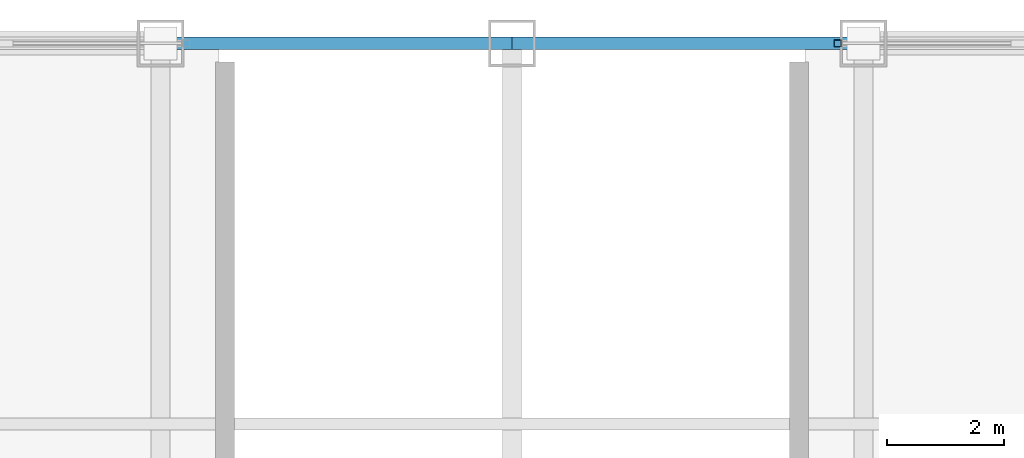
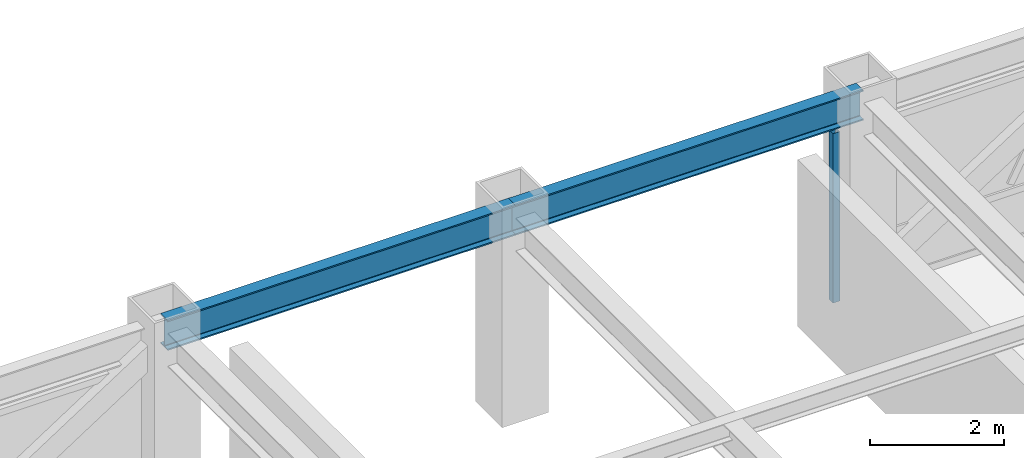
# One storey, part 20 of 29: 2 beams, 1 member, 1 element without a shape of its own.
"""IFC4 building model written with IfcOpenShell, lengths in metres."""

import ifcopenshell
import ifcopenshell.guid

model = None  # the IFC model being written
_history = None  # IfcOwnerHistory: only IFC2X3 demands one
_inside = {}  # id of a spatial element -> (the spatial element, [elements in it])
_under = {}  # id of a project, library or spatial element -> (it, [spatial elements below it])
_declared = {}  # id of a project -> (the project, [libraries it declares])
_typed = {}  # id of a type object -> (the type object, [elements of that type])
_made_of = {}  # id of a material, layer set ... -> (it, [elements and type objects made of it])


def new_model(schema):
    """Start an empty IFC model of exactly this schema.

    Asked for "IFC4X3", IfcOpenShell would pick the latest addendum, in which some entities
    have other attributes; the version numbers below select the first issue.
    IFC2X3 requires an IfcOwnerHistory on every rooted entity: one is made here for all.
    """
    global model, _history
    if schema == "IFC4X3":
        model = ifcopenshell.file(schema_version=(4, 3, 0, 0))
    else:
        model = ifcopenshell.file(schema=schema)
    _inside.clear()
    _under.clear()
    _declared.clear()
    _typed.clear()
    _made_of.clear()
    _history = None
    if model.schema == "IFC2X3":
        org = make("IfcOrganization", Name="unknown")
        user = make(
            "IfcPersonAndOrganization",
            ThePerson=make("IfcPerson", FamilyName="unknown"),
            TheOrganization=org,
        )
        app = make(
            "IfcApplication",
            ApplicationDeveloper=org,
            Version="unknown",
            ApplicationFullName="unknown",
            ApplicationIdentifier="unknown",
        )
        _history = make(
            "IfcOwnerHistory",
            OwningUser=user,
            OwningApplication=app,
            ChangeAction="ADDED",
            CreationDate=0,
        )
    return model


def make(cls, **values):
    """One entity of the class cls with the attributes given. An attribute that is None is left unset."""
    return model.create_entity(
        cls, **{name: value for name, value in values.items() if value is not None}
    )


def rooted(cls, **values):
    """An entity with a GlobalId (a new one), such as an element, a storey or a relation."""
    return make(cls, GlobalId=ifcopenshell.guid.new(), OwnerHistory=_history, **values)


def si_unit(unit_type, name, prefix=None):
    """IfcSIUnit, for example si_unit("LENGTHUNIT", "METRE", prefix="MILLI")."""
    return make("IfcSIUnit", UnitType=unit_type, Prefix=prefix, Name=name)


def assignment(units):
    """IfcUnitAssignment: the units of a project."""
    return None if units is None else make("IfcUnitAssignment", Units=units)


def point(xyz):
    """IfcCartesianPoint."""
    return None if xyz is None else make("IfcCartesianPoint", Coordinates=xyz)


def direction(xyz):
    """IfcDirection."""
    return None if xyz is None else make("IfcDirection", DirectionRatios=xyz)


def frame(location, z_axis=None, x_axis=None):
    """IfcAxis2Placement3D, a coordinate frame: its origin and axes. An axis left out is left unset."""
    return make(
        "IfcAxis2Placement3D",
        Location=point(location),
        Axis=direction(z_axis),
        RefDirection=direction(x_axis),
    )


def frame_2d(location, x_axis=None):
    """IfcAxis2Placement2D, a coordinate frame in the plane: its origin and x axis."""
    return make(
        "IfcAxis2Placement2D", Location=point(location), RefDirection=direction(x_axis)
    )


def origin():
    """The frame at (0, 0, 0) with its axes left unset."""
    return frame((0.0, 0.0, 0.0))


def origin_2d():
    """The frame at (0, 0) in the plane with its x axis left unset."""
    return frame_2d((0.0, 0.0))


def place(relative_to, where):
    """IfcLocalPlacement: puts the frame where relative to a parent placement (None: the world)."""
    return make(
        "IfcLocalPlacement", PlacementRelTo=relative_to, RelativePlacement=where
    )


def context(
    kind, dimensions, precision=None, world=None, true_north=None, identifier=None
):
    """IfcGeometricRepresentationContext, for example the 3D "Model" context."""
    return make(
        "IfcGeometricRepresentationContext",
        ContextIdentifier=identifier,
        ContextType=kind,
        CoordinateSpaceDimension=dimensions,
        Precision=precision,
        WorldCoordinateSystem=world,
        TrueNorth=true_north,
    )


def subcontext(parent, identifier, kind, view, scale=None):
    """IfcGeometricRepresentationSubContext, for example "Body" below "Model"."""
    return make(
        "IfcGeometricRepresentationSubContext",
        ContextIdentifier=identifier,
        ContextType=kind,
        ParentContext=parent,
        TargetScale=scale,
        TargetView=view,
    )


def project(units=None, contexts=None):
    """IfcProject with its units and contexts."""
    return rooted(
        "IfcProject",
        Name="project",
        RepresentationContexts=contexts,
        UnitsInContext=assignment(units),
    )


def spatial(cls, under=None, at=None, **own):
    """A site, building, storey or space (cls), placed at a placement, below another one or the project."""
    s = rooted(cls, ObjectPlacement=at, **own)
    if under is not None:
        _under.setdefault(under.id(), (under, []))[1].append(s)
    return s


def profile(cls, at=None, kind="AREA", **sizes):
    """A parametric profile (cls). Its sizes go by their IFC names, for example OverallWidth=200.0."""
    return make(cls, ProfileType=kind, Position=at, **sizes)


def hollow_rectangle(**sizes):
    """IfcRectangleHollowProfileDef."""
    return profile("IfcRectangleHollowProfileDef", **sizes)


def i_section(**sizes):
    """IfcIShapeProfileDef."""
    return profile("IfcIShapeProfileDef", **sizes)


def extrude(swept, where, along, depth):
    """IfcExtrudedAreaSolid: the profile swept, set in the frame where, extruded along a direction by depth."""
    return make(
        "IfcExtrudedAreaSolid",
        SweptArea=swept,
        Position=where,
        ExtrudedDirection=direction(along),
        Depth=depth,
    )


def shape(context_of_items, identifier, shape_type, items):
    """IfcShapeRepresentation: the items that make up one representation, for example the "Body"."""
    return make(
        "IfcShapeRepresentation",
        ContextOfItems=context_of_items,
        RepresentationIdentifier=identifier,
        RepresentationType=shape_type,
        Items=items,
    )


def source(mapping_origin, context_of_items, identifier, shape_type, items):
    """IfcRepresentationMap: a shape defined once, which mapped items show again and again."""
    return make(
        "IfcRepresentationMap",
        MappingOrigin=mapping_origin,
        MappedRepresentation=shape(context_of_items, identifier, shape_type, items),
    )


def transform(
    local_origin,
    x_axis=None,
    y_axis=None,
    z_axis=None,
    scale=None,
    scale2=None,
    scale3=None,
    uniform=True,
):
    """IfcCartesianTransformationOperator3D, or its non-uniform kind. x_axis, y_axis, z_axis: its Axis1, 2, 3."""
    if uniform:
        return make(
            "IfcCartesianTransformationOperator3D",
            Axis1=direction(x_axis),
            Axis2=direction(y_axis),
            LocalOrigin=point(local_origin),
            Scale=scale,
            Axis3=direction(z_axis),
        )
    return make(
        "IfcCartesianTransformationOperator3DnonUniform",
        Axis1=direction(x_axis),
        Axis2=direction(y_axis),
        LocalOrigin=point(local_origin),
        Scale=scale,
        Axis3=direction(z_axis),
        Scale2=scale2,
        Scale3=scale3,
    )


def mapped(mapping_source, mapping_target):
    """IfcMappedItem: shows the shape of a source again, moved by a transform."""
    return make(
        "IfcMappedItem", MappingSource=mapping_source, MappingTarget=mapping_target
    )


def material(Name=None, Category=None):
    """IfcMaterial."""
    return make("IfcMaterial", Name=Name, Category=Category)


def material_profile(
    of_material, cross_section, Name=None, Category=None, Priority=None
):
    """IfcMaterialProfile: a cross section and its material."""
    return make(
        "IfcMaterialProfile",
        Name=Name,
        Material=of_material,
        Profile=cross_section,
        Priority=Priority,
        Category=Category,
    )


def profile_set(profiles, Name=None, composite=None):
    """IfcMaterialProfileSet."""
    return make(
        "IfcMaterialProfileSet",
        Name=Name,
        MaterialProfiles=profiles,
        CompositeProfile=composite,
    )


def made_of(thing, what):
    """Note that an element or type object is made of a material, layer set ...; save() writes the relation."""
    if what is not None:
        _made_of.setdefault(what.id(), (what, []))[1].append(thing)
    return thing


def type_object(cls, material=None, **own):
    """A type object (cls), such as IfcWallType, which elements share."""
    return made_of(rooted(cls, **own), material)


def element(
    cls,
    number,
    at=None,
    inside=None,
    cuts=None,
    type_object=None,
    material=None,
    context=None,
    identifier="Body",
    shape_type=None,
    held_by="IfcProductDefinitionShape",
    body=None,
    shapes=None,
    **own,
):
    """One element of the class cls, such as IfcWall. Its Tag is "e" and its number.

    at: its placement. inside: the storey or other place that contains it. cuts: it is an
    opening in that element (IfcRelVoidsElement). A single representation is given by context,
    identifier, shape_type and body (its items); several are given by shapes. held_by: the class
    of the entity that holds the representations. save() writes the other relations.
    """
    e = rooted(cls, Tag="e%d" % number, ObjectPlacement=at, **own)
    if body is not None:
        shapes = [shape(context, identifier, shape_type, body)]
    if shapes is not None:
        e.Representation = make(held_by, Representations=shapes)
    if inside is not None:
        _inside.setdefault(inside.id(), (inside, []))[1].append(e)
    if cuts is not None:
        rooted(
            "IfcRelVoidsElement", RelatingBuildingElement=cuts, RelatedOpeningElement=e
        )
    if type_object is not None:
        _typed.setdefault(type_object.id(), (type_object, []))[1].append(e)
    return made_of(e, material)


def aggregate(whole, parts):
    """IfcRelAggregates: a whole, such as a stair, and the parts it consists of."""
    return rooted("IfcRelAggregates", RelatingObject=whole, RelatedObjects=parts)


def save(model, path):
    """Write the relations noted so far, then the file.

    IfcRelAggregates (storeys below a building ...), IfcRelContainedInSpatialStructure (elements
    in a storey), IfcRelDefinesByType, IfcRelAssociatesMaterial and IfcRelDeclares: one each for
    every whole, place, type object, material and project.
    """
    for whole, parts in _under.values():
        aggregate(whole, parts)
    for where, things in _inside.values():
        rooted(
            "IfcRelContainedInSpatialStructure",
            RelatedElements=things,
            RelatingStructure=where,
        )
    for kind, things in _typed.values():
        rooted("IfcRelDefinesByType", RelatedObjects=things, RelatingType=kind)
    for what, things in _made_of.values():
        rooted("IfcRelAssociatesMaterial", RelatedObjects=things, RelatingMaterial=what)
    for by, libraries in _declared.values():
        rooted("IfcRelDeclares", RelatingContext=by, RelatedDefinitions=libraries)
    model.write(path)


model = new_model("IFC4")

# Units and contexts
model_context = context("Model", 3, precision=1e-05, world=origin(), true_north=direction((0.0, 1.0)))
body_context = subcontext(model_context, "Body", "Model", "MODEL_VIEW")
ifc_project = project(units=[si_unit("LENGTHUNIT", "METRE"), si_unit("AREAUNIT", "SQUARE_METRE"), si_unit("VOLUMEUNIT", "CUBIC_METRE"), si_unit("PLANEANGLEUNIT", "RADIAN"), si_unit("MASSUNIT", "GRAM", prefix="KILO")], contexts=[model_context])

# Site, building, storey
site_placement = place(None, origin())
site = spatial("IfcSite", under=ifc_project, at=site_placement, CompositionType="ELEMENT")
building_placement = place(site_placement, origin())
building = spatial("IfcBuilding", under=site, at=building_placement, Name="Khorayat Bourse Tower", CompositionType="ELEMENT")
storey_placement = place(building_placement, frame((0.0, 0.0, 354.300048828125)))
storey = spatial("IfcBuildingStorey", under=building, at=storey_placement, Name="L84", CompositionType="ELEMENT", Elevation=354.300048828125)

# Beams
ifc_material_1 = material(Name="Steel ASTM A992 Grade 50", Category="steel")
ifc_material_profile_1 = material_profile(ifc_material_1, i_section(OverallWidth=0.214111328125, OverallDepth=0.549072265625, WebThickness=0.0146484375, FlangeThickness=0.023681640625, FilletRadius=0.013916015625, at=origin_2d()), Name="W530X138")
ifc_profile_set_1 = profile_set([ifc_material_profile_1], Name="Steel ASTM A992 Grade 50")
beam_type = type_object("IfcBeamType", Name="BM-SPAN-530", PredefinedType="SPANDREL", material=ifc_profile_set_1)
shared_shape_1 = source(origin(), body_context, "Body", "SweptSolid", [
    extrude(i_section(OverallWidth=0.214111328125, OverallDepth=0.549072265625, WebThickness=0.0146484375, FlangeThickness=0.023681640625, FilletRadius=0.013916015625, at=origin_2d()), origin(), (0.0, 0.0, 1.0), 6.0),
])
for number, where, z_axis, x_axis, name in (
    (1, (0.0, 26.0, 3.46533203125), (1.0, 0.0, 0.0), (0.0, 1.0, 0.0), "L84 BM-SPAN-530 BM-L84-SPN-042"),
    (2, (-6.0, 26.0, 3.46533203125), (1.0, 0.0, 0.0), (0.0, 1.0, 0.0), "L84 BM-SPAN-530 BM-L84-SPN-043"),
):
    element("IfcBeam", number, at=place(storey_placement, frame(where, z_axis=z_axis, x_axis=x_axis)), inside=storey, type_object=beam_type, Name=name, PredefinedType="SPANDREL", context=body_context, shape_type="MappedRepresentation", body=[
        mapped(shared_shape_1, transform((0.0, 0.0, 0.0), scale=1.0)),
    ])

# Curtain wall, member
ifc_material_2 = material(Name="Aluminium EN AW-6063 T6", Category="aluminium")
curtain_wall_type = type_object("IfcCurtainWallType", Name="CW-SYS-06", PredefinedType="NOTDEFINED", material=ifc_material_2)
curtain_wall_placement = place(storey_placement, origin())
curtain_wall = element("IfcCurtainWall", 3, at=curtain_wall_placement, inside=storey, type_object=curtain_wall_type, Name="L84 Curtain Wall CW-L84-N2", PredefinedType="NOTDEFINED")
ifc_material_profile_2 = material_profile(ifc_material_2, hollow_rectangle(XDim=0.1201171875, YDim=0.1201171875, WallThickness=0.0048828125, at=origin_2d()), Name="ALU 120x120x5")
ifc_profile_set_2 = profile_set([ifc_material_profile_2], Name="Aluminium EN AW-6063 T6")
member_type = type_object("IfcMemberType", Name="CWM-VERT-120", PredefinedType="MULLION", material=ifc_profile_set_2)
shared_shape_2 = source(origin(), body_context, "Body", "SweptSolid", [
    extrude(hollow_rectangle(XDim=0.1201171875, YDim=0.1201171875, WallThickness=0.0048828125, at=origin_2d()), origin(), (0.0, 0.0, 1.0), 3.08984375),
])
member_placement = place(storey_placement, frame((5.56005859375, 26.0, 0.0), z_axis=(0.0, 0.0, 1.0), x_axis=(0.0, -1.0, 0.0)))
member = element("IfcMember", 4, at=member_placement, type_object=member_type, Name="CW-L84-N2 Vertical Mullion 3", PredefinedType="MULLION", context=body_context, shape_type="MappedRepresentation", body=[
    mapped(shared_shape_2, transform((0.0, 0.0, 0.0), scale=1.0)),
])
aggregate(curtain_wall, [member])

save(model, "model.ifc")
